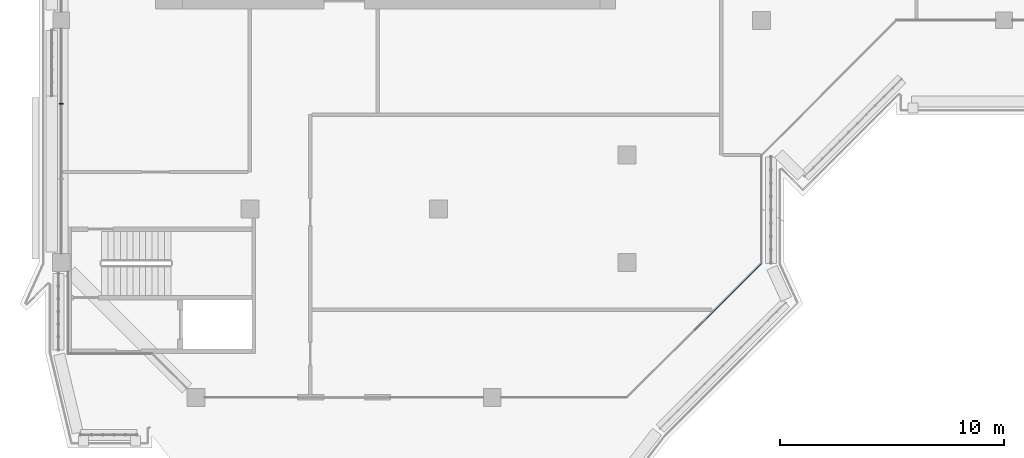
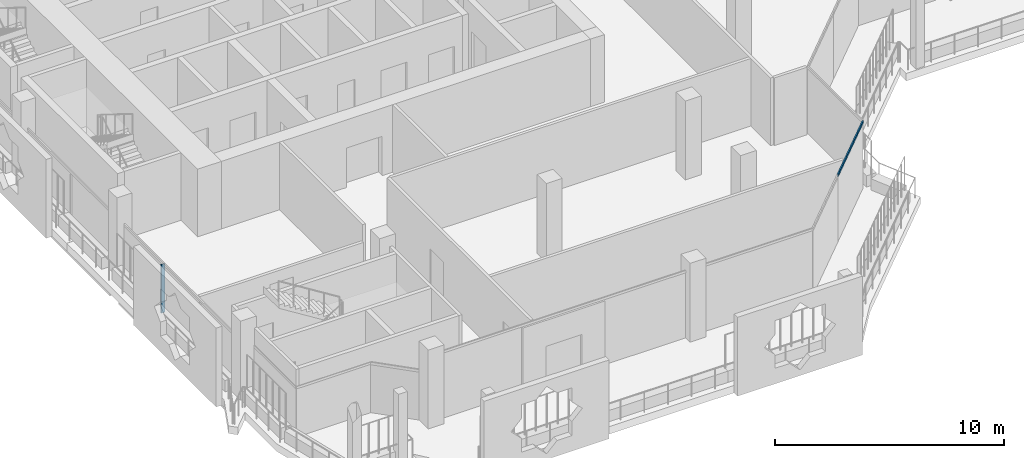
# One storey, part 3 of 21: 2 members, 2 elements without a shape of their own.
"""IFC4 building model written with IfcOpenShell, lengths in metres."""

import ifcopenshell
import ifcopenshell.guid

model = None  # the IFC model being written
_history = None  # IfcOwnerHistory: only IFC2X3 demands one
_inside = {}  # id of a spatial element -> (the spatial element, [elements in it])
_under = {}  # id of a project, library or spatial element -> (it, [spatial elements below it])
_declared = {}  # id of a project -> (the project, [libraries it declares])
_typed = {}  # id of a type object -> (the type object, [elements of that type])
_made_of = {}  # id of a material, layer set ... -> (it, [elements and type objects made of it])


def new_model(schema):
    """Start an empty IFC model of exactly this schema.

    Asked for "IFC4X3", IfcOpenShell would pick the latest addendum, in which some entities
    have other attributes; the version numbers below select the first issue.
    IFC2X3 requires an IfcOwnerHistory on every rooted entity: one is made here for all.
    """
    global model, _history
    if schema == "IFC4X3":
        model = ifcopenshell.file(schema_version=(4, 3, 0, 0))
    else:
        model = ifcopenshell.file(schema=schema)
    _inside.clear()
    _under.clear()
    _declared.clear()
    _typed.clear()
    _made_of.clear()
    _history = None
    if model.schema == "IFC2X3":
        org = make("IfcOrganization", Name="unknown")
        user = make(
            "IfcPersonAndOrganization",
            ThePerson=make("IfcPerson", FamilyName="unknown"),
            TheOrganization=org,
        )
        app = make(
            "IfcApplication",
            ApplicationDeveloper=org,
            Version="unknown",
            ApplicationFullName="unknown",
            ApplicationIdentifier="unknown",
        )
        _history = make(
            "IfcOwnerHistory",
            OwningUser=user,
            OwningApplication=app,
            ChangeAction="ADDED",
            CreationDate=0,
        )
    return model


def make(cls, **values):
    """One entity of the class cls with the attributes given. An attribute that is None is left unset."""
    return model.create_entity(
        cls, **{name: value for name, value in values.items() if value is not None}
    )


def rooted(cls, **values):
    """An entity with a GlobalId (a new one), such as an element, a storey or a relation."""
    return make(cls, GlobalId=ifcopenshell.guid.new(), OwnerHistory=_history, **values)


def si_unit(unit_type, name, prefix=None):
    """IfcSIUnit, for example si_unit("LENGTHUNIT", "METRE", prefix="MILLI")."""
    return make("IfcSIUnit", UnitType=unit_type, Prefix=prefix, Name=name)


def assignment(units):
    """IfcUnitAssignment: the units of a project."""
    return None if units is None else make("IfcUnitAssignment", Units=units)


def point(xyz):
    """IfcCartesianPoint."""
    return None if xyz is None else make("IfcCartesianPoint", Coordinates=xyz)


def direction(xyz):
    """IfcDirection."""
    return None if xyz is None else make("IfcDirection", DirectionRatios=xyz)


def frame(location, z_axis=None, x_axis=None):
    """IfcAxis2Placement3D, a coordinate frame: its origin and axes. An axis left out is left unset."""
    return make(
        "IfcAxis2Placement3D",
        Location=point(location),
        Axis=direction(z_axis),
        RefDirection=direction(x_axis),
    )


def frame_2d(location, x_axis=None):
    """IfcAxis2Placement2D, a coordinate frame in the plane: its origin and x axis."""
    return make(
        "IfcAxis2Placement2D", Location=point(location), RefDirection=direction(x_axis)
    )


def origin():
    """The frame at (0, 0, 0) with its axes left unset."""
    return frame((0.0, 0.0, 0.0))


def origin_2d():
    """The frame at (0, 0) in the plane with its x axis left unset."""
    return frame_2d((0.0, 0.0))


def place(relative_to, where):
    """IfcLocalPlacement: puts the frame where relative to a parent placement (None: the world)."""
    return make(
        "IfcLocalPlacement", PlacementRelTo=relative_to, RelativePlacement=where
    )


def context(
    kind, dimensions, precision=None, world=None, true_north=None, identifier=None
):
    """IfcGeometricRepresentationContext, for example the 3D "Model" context."""
    return make(
        "IfcGeometricRepresentationContext",
        ContextIdentifier=identifier,
        ContextType=kind,
        CoordinateSpaceDimension=dimensions,
        Precision=precision,
        WorldCoordinateSystem=world,
        TrueNorth=true_north,
    )


def subcontext(parent, identifier, kind, view, scale=None):
    """IfcGeometricRepresentationSubContext, for example "Body" below "Model"."""
    return make(
        "IfcGeometricRepresentationSubContext",
        ContextIdentifier=identifier,
        ContextType=kind,
        ParentContext=parent,
        TargetScale=scale,
        TargetView=view,
    )


def project(units=None, contexts=None):
    """IfcProject with its units and contexts."""
    return rooted(
        "IfcProject",
        Name="project",
        RepresentationContexts=contexts,
        UnitsInContext=assignment(units),
    )


def spatial(cls, under=None, at=None, **own):
    """A site, building, storey or space (cls), placed at a placement, below another one or the project."""
    s = rooted(cls, ObjectPlacement=at, **own)
    if under is not None:
        _under.setdefault(under.id(), (under, []))[1].append(s)
    return s


def profile(cls, at=None, kind="AREA", **sizes):
    """A parametric profile (cls). Its sizes go by their IFC names, for example OverallWidth=200.0."""
    return make(cls, ProfileType=kind, Position=at, **sizes)


def rectangle(**sizes):
    """IfcRectangleProfileDef."""
    return profile("IfcRectangleProfileDef", **sizes)


def extrude(swept, where, along, depth):
    """IfcExtrudedAreaSolid: the profile swept, set in the frame where, extruded along a direction by depth."""
    return make(
        "IfcExtrudedAreaSolid",
        SweptArea=swept,
        Position=where,
        ExtrudedDirection=direction(along),
        Depth=depth,
    )


def shape(context_of_items, identifier, shape_type, items):
    """IfcShapeRepresentation: the items that make up one representation, for example the "Body"."""
    return make(
        "IfcShapeRepresentation",
        ContextOfItems=context_of_items,
        RepresentationIdentifier=identifier,
        RepresentationType=shape_type,
        Items=items,
    )


def material(Name=None, Category=None):
    """IfcMaterial."""
    return make("IfcMaterial", Name=Name, Category=Category)


def layer(
    of_material, thickness, ventilated=None, Name=None, Category=None, Priority=None
):
    """IfcMaterialLayer: one layer of a wall or slab, of a material (None: an air gap)."""
    return make(
        "IfcMaterialLayer",
        Material=of_material,
        LayerThickness=thickness,
        IsVentilated=ventilated,
        Name=Name,
        Category=Category,
        Priority=Priority,
    )


def layer_set(layers, Name=None):
    """IfcMaterialLayerSet."""
    return make("IfcMaterialLayerSet", MaterialLayers=layers, LayerSetName=Name)


def material_profile(
    of_material, cross_section, Name=None, Category=None, Priority=None
):
    """IfcMaterialProfile: a cross section and its material."""
    return make(
        "IfcMaterialProfile",
        Name=Name,
        Material=of_material,
        Profile=cross_section,
        Priority=Priority,
        Category=Category,
    )


def profile_set(profiles, Name=None, composite=None):
    """IfcMaterialProfileSet."""
    return make(
        "IfcMaterialProfileSet",
        Name=Name,
        MaterialProfiles=profiles,
        CompositeProfile=composite,
    )


def made_of(thing, what):
    """Note that an element or type object is made of a material, layer set ...; save() writes the relation."""
    if what is not None:
        _made_of.setdefault(what.id(), (what, []))[1].append(thing)
    return thing


def type_object(cls, material=None, **own):
    """A type object (cls), such as IfcWallType, which elements share."""
    return made_of(rooted(cls, **own), material)


def element(
    cls,
    number,
    at=None,
    inside=None,
    cuts=None,
    type_object=None,
    material=None,
    context=None,
    identifier="Body",
    shape_type=None,
    held_by="IfcProductDefinitionShape",
    body=None,
    shapes=None,
    **own,
):
    """One element of the class cls, such as IfcWall. Its Tag is "e" and its number.

    at: its placement. inside: the storey or other place that contains it. cuts: it is an
    opening in that element (IfcRelVoidsElement). A single representation is given by context,
    identifier, shape_type and body (its items); several are given by shapes. held_by: the class
    of the entity that holds the representations. save() writes the other relations.
    """
    e = rooted(cls, Tag="e%d" % number, ObjectPlacement=at, **own)
    if body is not None:
        shapes = [shape(context, identifier, shape_type, body)]
    if shapes is not None:
        e.Representation = make(held_by, Representations=shapes)
    if inside is not None:
        _inside.setdefault(inside.id(), (inside, []))[1].append(e)
    if cuts is not None:
        rooted(
            "IfcRelVoidsElement", RelatingBuildingElement=cuts, RelatedOpeningElement=e
        )
    if type_object is not None:
        _typed.setdefault(type_object.id(), (type_object, []))[1].append(e)
    return made_of(e, material)


def aggregate(whole, parts):
    """IfcRelAggregates: a whole, such as a stair, and the parts it consists of."""
    return rooted("IfcRelAggregates", RelatingObject=whole, RelatedObjects=parts)


def save(model, path):
    """Write the relations noted so far, then the file.

    IfcRelAggregates (storeys below a building ...), IfcRelContainedInSpatialStructure (elements
    in a storey), IfcRelDefinesByType, IfcRelAssociatesMaterial and IfcRelDeclares: one each for
    every whole, place, type object, material and project.
    """
    for whole, parts in _under.values():
        aggregate(whole, parts)
    for where, things in _inside.values():
        rooted(
            "IfcRelContainedInSpatialStructure",
            RelatedElements=things,
            RelatingStructure=where,
        )
    for kind, things in _typed.values():
        rooted("IfcRelDefinesByType", RelatedObjects=things, RelatingType=kind)
    for what, things in _made_of.values():
        rooted("IfcRelAssociatesMaterial", RelatedObjects=things, RelatingMaterial=what)
    for by, libraries in _declared.values():
        rooted("IfcRelDeclares", RelatingContext=by, RelatedDefinitions=libraries)
    model.write(path)


model = new_model("IFC4")

# Units and contexts
model_context = context("Model", 3, precision=1e-05, world=origin(), true_north=direction((0.0, 1.0)))
body_context = subcontext(model_context, "Body", "Model", "MODEL_VIEW")
ifc_project = project(units=[si_unit("LENGTHUNIT", "METRE"), si_unit("AREAUNIT", "SQUARE_METRE"), si_unit("VOLUMEUNIT", "CUBIC_METRE"), si_unit("PLANEANGLEUNIT", "RADIAN"), si_unit("MASSUNIT", "GRAM", prefix="KILO")], contexts=[model_context])

# Site, building, storey
site_placement = place(None, origin())
site = spatial("IfcSite", under=ifc_project, at=site_placement, CompositionType="ELEMENT")
building_placement = place(site_placement, origin())
building = spatial("IfcBuilding", under=site, at=building_placement, Name="Kawkab Arch Medical Tower", CompositionType="ELEMENT")
storey_placement = place(building_placement, frame((0.0, 0.0, 302.800048828125)))
storey = spatial("IfcBuildingStorey", under=building, at=storey_placement, Name="L70", CompositionType="ELEMENT", Elevation=302.800048828125)

# Curtain wall, member
ifc_material_1 = material(Name="Bronze anodised aluminium curtain wall frame", Category="aluminium")
ifc_layer_1 = layer(ifc_material_1, 0.159912109375)
ifc_layer_set_1 = layer_set([ifc_layer_1], Name="Bronze anodised aluminium curtain wall frame")
curtain_wall_type_1 = type_object("IfcCurtainWallType", Name="CW1 ward curtain wall", PredefinedType="NOTDEFINED", material=ifc_layer_set_1)
placement = place(storey_placement, origin())
curtain_wall_1 = element("IfcCurtainWall", 1, at=placement, inside=storey, type_object=curtain_wall_type_1, Name="CW1 Ward curtain wall R02", PredefinedType="NOTDEFINED")
ifc_material_2 = material(Name="Bronze anodised aluminium curtain wall frame", Category="aluminium")
ifc_material_profile_1 = material_profile(ifc_material_2, rectangle(XDim=0.179931640625, YDim=0.06005859375, at=origin_2d()), Name="AL 60x180")
ifc_profile_set_1 = profile_set([ifc_material_profile_1], Name="Bronze anodised aluminium curtain wall frame")
member_type_1 = type_object("IfcMemberType", Name="CW1 mullion 60 x 180", PredefinedType="MULLION", material=ifc_profile_set_1)
member_1_placement = place(storey_placement, frame((0.0, -28.916748046875, 0.0), z_axis=(0.0, 0.0, 1.0), x_axis=(1.0, 0.0, 0.0)))
member_1 = element("IfcMember", 2, at=member_1_placement, type_object=member_type_1, Name="CW1 mullion 3.1", PredefinedType="MULLION", context=body_context, shape_type="SweptSolid", body=[
    extrude(rectangle(XDim=0.179931640625, YDim=0.06005859375, at=origin_2d()), origin(), (0.0, 0.0, 1.0), 2.579833984375),
])
aggregate(curtain_wall_1, [member_1])

ifc_material_3 = material(Name="Bronze anodised aluminium curtain wall frame", Category="aluminium")
ifc_layer_2 = layer(ifc_material_3, 0.159912109375)
ifc_layer_set_2 = layer_set([ifc_layer_2], Name="Bronze anodised aluminium curtain wall frame")
curtain_wall_type_2 = type_object("IfcCurtainWallType", Name="CW2 chamfer curtain wall", PredefinedType="NOTDEFINED", material=ifc_layer_set_2)
curtain_wall_2 = element("IfcCurtainWall", 3, at=placement, inside=storey, type_object=curtain_wall_type_2, Name="CW2 Chamfer curtain wall R08", PredefinedType="NOTDEFINED")
ifc_material_4 = material(Name="Bronze anodised aluminium curtain wall frame", Category="aluminium")
ifc_material_profile_2 = material_profile(ifc_material_4, rectangle(XDim=0.06005859375, YDim=0.139892578125, at=origin_2d()), Name="AL 60x140")
ifc_profile_set_2 = profile_set([ifc_material_profile_2], Name="Bronze anodised aluminium curtain wall frame")
member_type_2 = type_object("IfcMemberType", Name="CW2 transom 140 x 60", PredefinedType="USERDEFINED", material=ifc_profile_set_2)
member_2_placement = place(storey_placement, frame((28.199951171875, -39.0, 3.530029296875), z_axis=(0.707106781187, 0.707106781187, 0.0), x_axis=(-0.707106781187, 0.707106781187, 0.0)))
member_2 = element("IfcMember", 4, at=member_2_placement, type_object=member_type_2, Name="CW2 transom 2", ObjectType="TRANSOM", PredefinedType="USERDEFINED", context=body_context, shape_type="SweptSolid", body=[
    extrude(rectangle(XDim=0.06005859375, YDim=0.139892578125, at=origin_2d()), origin(), (0.0, 0.0, 1.0), 4.24267578125),
])
aggregate(curtain_wall_2, [member_2])

save(model, "model.ifc")
